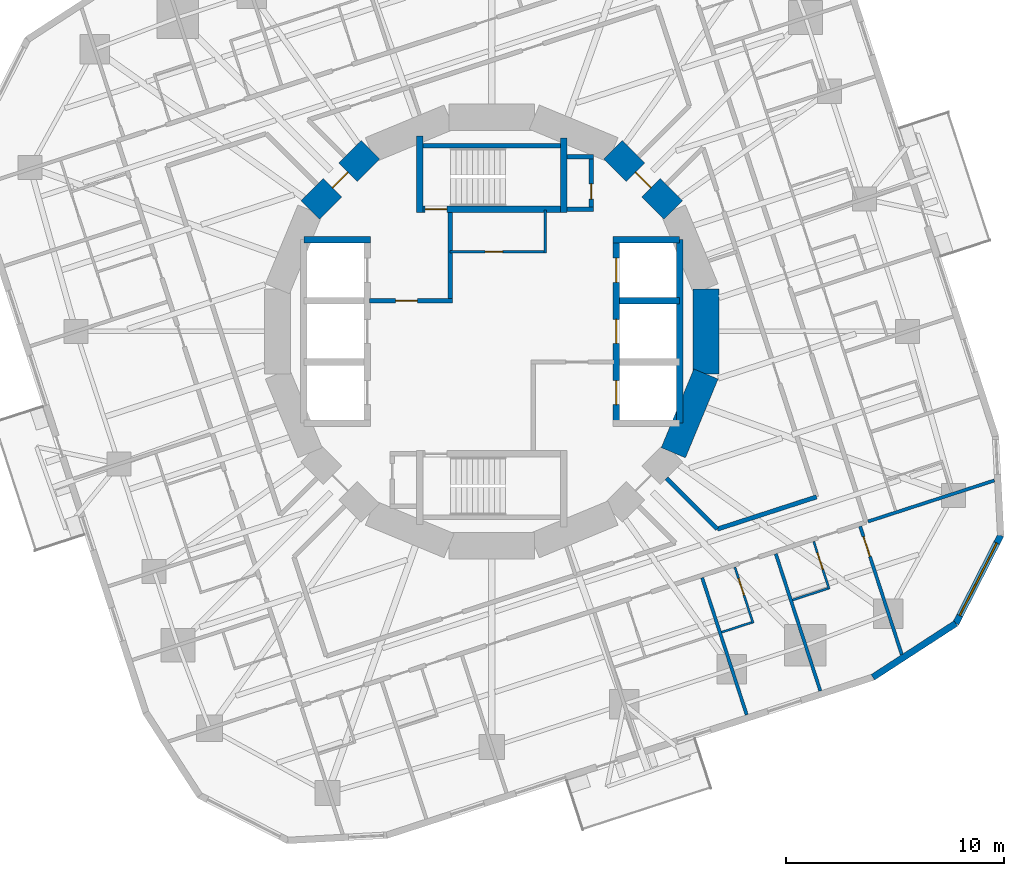
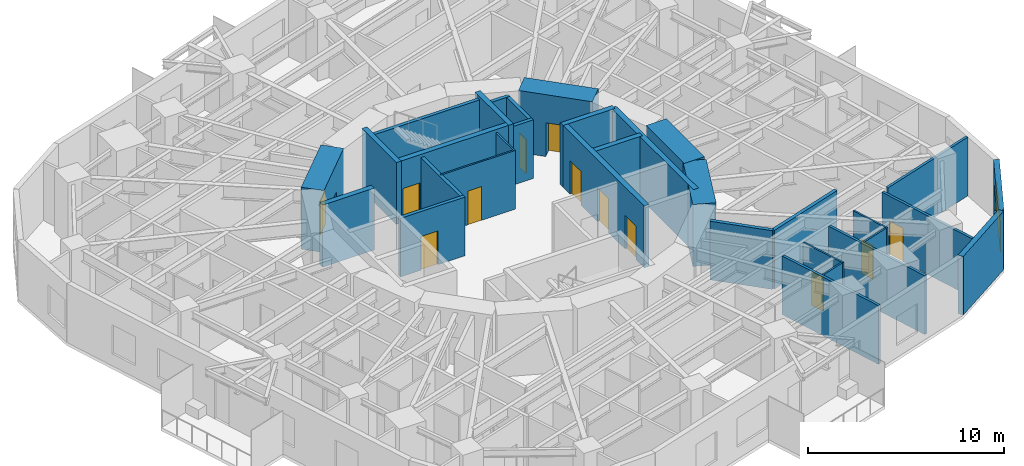
# One storey, part 7 of 12: 32 walls, 12 doors, 1 window, 13 openings.
"""IFC4 building model written with IfcOpenShell, lengths in metres."""

from ifc_helpers import new_model, si_unit, direction, frame, frame_2d, origin, place, context, subcontext, project, spatial, rectangle, extrude, material, layer, layer_set, type_object, element, fill, save


model = new_model("IFC4")

# Units and contexts
model_context = context("Model", 3, precision=1e-05, world=origin(), true_north=direction((0.0, 1.0)))
body_context = subcontext(model_context, "Body", "Model", "MODEL_VIEW")
ifc_project = project(units=[si_unit("LENGTHUNIT", "METRE"), si_unit("AREAUNIT", "SQUARE_METRE"), si_unit("VOLUMEUNIT", "CUBIC_METRE"), si_unit("PLANEANGLEUNIT", "RADIAN"), si_unit("MASSUNIT", "GRAM", prefix="KILO")], contexts=[model_context])

# Site, building, storey
site_placement = place(None, origin())
site = spatial("IfcSite", under=ifc_project, at=site_placement, CompositionType="ELEMENT")
building_placement = place(site_placement, origin())
building = spatial("IfcBuilding", under=site, at=building_placement, Name="Nakasero Lantern House", CompositionType="ELEMENT")
storey_placement = place(building_placement, frame((0.0, 0.0, 149.5)))
storey = spatial("IfcBuildingStorey", under=building, at=storey_placement, Name="L36", CompositionType="ELEMENT", Elevation=149.5)

# Wall, openings, doors
ifc_material_1 = material(Name="Concrete C50/60", Category="concrete")
ifc_layer_1 = layer(ifc_material_1, 0.300048828125)
ifc_layer_set_1 = layer_set([ifc_layer_1], Name="Core inner wall 300")
wall_type_1 = type_object("IfcWallType", Name="Core inner wall 300", PredefinedType="SHEAR", material=ifc_layer_set_1)
wall_1_placement = place(storey_placement, frame((5.699951171875, -4.199951171875, 0.0), z_axis=(0.0, 0.0, 1.0), x_axis=(0.0, 1.0, 0.0)))
wall_1 = element("IfcWall", 1, at=wall_1_placement, inside=storey, type_object=wall_type_1, Name="Core inner wall L36 LE", PredefinedType="SHEAR", context=body_context, shape_type="SweptSolid", body=[
    extrude(rectangle(XDim=8.39990234375, YDim=0.300048828125, at=frame_2d((4.199951171875, 0.0))), origin(), (0.0, 0.0, 1.0), 3.85009765625),
])
opening_1_placement = place(wall_1_placement, frame((0.85009765625, 0.0, 0.0)))
opening_1 = element("IfcOpeningElement", 2, at=opening_1_placement, cuts=wall_1, Name="Opening LD", PredefinedType="OPENING", context=body_context, shape_type="SweptSolid", body=[
    extrude(rectangle(XDim=1.10009765625, YDim=2.10009765625, at=frame_2d((0.550048828125, 1.050048828125))), frame((0.0, 0.169921875, 0.0), z_axis=(0.0, -1.0, 0.0), x_axis=(1.0, 0.0, 0.0)), (0.0, 0.0, 1.0), 0.340087890625),
])
opening_2_placement = place(wall_1_placement, frame((3.64990234375, 0.0, 0.0)))
opening_2 = element("IfcOpeningElement", 3, at=opening_2_placement, cuts=wall_1, Name="Opening LD", PredefinedType="OPENING", context=body_context, shape_type="SweptSolid", body=[
    extrude(rectangle(XDim=1.10009765625, YDim=2.10009765625, at=frame_2d((0.550048828125, 1.050048828125))), frame((0.0, 0.169921875, 0.0), z_axis=(0.0, -1.0, 0.0), x_axis=(1.0, 0.0, 0.0)), (0.0, 0.0, 1.0), 0.340087890625),
])
opening_3_placement = place(wall_1_placement, frame((6.449951171875, 0.0, 0.0)))
opening_3 = element("IfcOpeningElement", 4, at=opening_3_placement, cuts=wall_1, Name="Opening LD", PredefinedType="OPENING", context=body_context, shape_type="SweptSolid", body=[
    extrude(rectangle(XDim=1.10009765625, YDim=2.10009765625, at=frame_2d((0.550048828125, 1.050048828125))), frame((0.0, 0.169921875, 0.0), z_axis=(0.0, -1.0, 0.0), x_axis=(1.0, 0.0, 0.0)), (0.0, 0.0, 1.0), 0.340087890625),
])
ifc_material_2 = material(Name="Steel S355", Category="steel")
door_type_1 = type_object("IfcDoorType", Name="Lift landing door E120 1100", OperationType="SLIDING_TO_LEFT", PredefinedType="DOOR", material=ifc_material_2)
door_1_placement = place(opening_1_placement, origin())
door_1 = element("IfcDoor", 5, at=door_1_placement, inside=storey, type_object=door_type_1, Name="Lift landing door LE1", OperationType="SLIDING_TO_LEFT", OverallHeight=2.10009765625, OverallWidth=1.10009765625, PredefinedType="DOOR", context=body_context, shape_type="SweptSolid", body=[
    extrude(rectangle(XDim=1.10009765625, YDim=2.10009765625, at=frame_2d((0.550048828125, 1.050048828125))), frame((0.0, 0.02490234375, 0.0), z_axis=(0.0, -1.0, 0.0), x_axis=(1.0, 0.0, 0.0)), (0.0, 0.0, 1.0), 0.050048828125),
])
fill(opening_1, door_1)
door_2_placement = place(opening_2_placement, origin())
door_2 = element("IfcDoor", 6, at=door_2_placement, inside=storey, type_object=door_type_1, Name="Lift landing door LE2", OperationType="SLIDING_TO_LEFT", OverallHeight=2.10009765625, OverallWidth=1.10009765625, PredefinedType="DOOR", context=body_context, shape_type="SweptSolid", body=[
    extrude(rectangle(XDim=1.10009765625, YDim=2.10009765625, at=frame_2d((0.550048828125, 1.050048828125))), frame((0.0, 0.02490234375, 0.0), z_axis=(0.0, -1.0, 0.0), x_axis=(1.0, 0.0, 0.0)), (0.0, 0.0, 1.0), 0.050048828125),
])
fill(opening_2, door_2)
door_3_placement = place(opening_3_placement, origin())
door_3 = element("IfcDoor", 7, at=door_3_placement, inside=storey, type_object=door_type_1, Name="Lift landing door LE3", OperationType="SLIDING_TO_LEFT", OverallHeight=2.10009765625, OverallWidth=1.10009765625, PredefinedType="DOOR", context=body_context, shape_type="SweptSolid", body=[
    extrude(rectangle(XDim=1.10009765625, YDim=2.10009765625, at=frame_2d((0.550048828125, 1.050048828125))), frame((0.0, 0.02490234375, 0.0), z_axis=(0.0, -1.0, 0.0), x_axis=(1.0, 0.0, 0.0)), (0.0, 0.0, 1.0), 0.050048828125),
])
fill(opening_3, door_3)

# Walls
for number, where, z_axis, x_axis, name in (
    (8, (-8.60009765625, 4.199951171875, 0.0), (0.0, 0.0, 1.0), (1.0, 0.0, 0.0), "Core inner wall L36 LWN"),
    (9, (5.550048828125, 4.199951171875, 0.0), (0.0, 0.0, 1.0), (1.0, 0.0, 0.0), "Core inner wall L36 LEN"),
):
    element("IfcWall", number, at=place(storey_placement, frame(where, z_axis=z_axis, x_axis=x_axis)), inside=storey, type_object=wall_type_1, Name=name, PredefinedType="SHEAR", context=body_context, shape_type="SweptSolid", body=[
        extrude(rectangle(XDim=3.050048828125, YDim=0.300048828125, at=frame_2d((1.52490234375, 0.0))), origin(), (0.0, 0.0, 1.0), 3.85009765625),
    ])
wall_2_placement = place(storey_placement, frame((8.60009765625, -4.199951171875, 0.0), z_axis=(0.0, 0.0, 1.0), x_axis=(0.0, 1.0, 0.0)))
element("IfcWall", 10, at=wall_2_placement, inside=storey, type_object=wall_type_1, Name="Core inner wall L36 LEB", PredefinedType="SHEAR", context=body_context, shape_type="SweptSolid", body=[
    extrude(rectangle(XDim=8.39990234375, YDim=0.300048828125, at=frame_2d((4.199951171875, 0.0))), origin(), (0.0, 0.0, 1.0), 3.85009765625),
])
wall_3_placement = place(storey_placement, frame((5.85009765625, 1.39990234375, 0.0), z_axis=(0.0, 0.0, 1.0), x_axis=(1.0, 0.0, 0.0)))
element("IfcWall", 11, at=wall_3_placement, inside=storey, type_object=wall_type_1, Name="Core inner wall L36 LE2", PredefinedType="SHEAR", context=body_context, shape_type="SweptSolid", body=[
    extrude(rectangle(XDim=2.75, YDim=0.300048828125, at=frame_2d((1.375, 0.0))), origin(), (0.0, 0.0, 1.0), 3.85009765625),
])

# Wall, opening, door
wall_4_placement = place(storey_placement, frame((-3.449951171875, 5.60009765625, 0.0), z_axis=(0.0, 0.0, 1.0), x_axis=(1.0, 0.0, 0.0)))
wall_4 = element("IfcWall", 12, at=wall_4_placement, inside=storey, type_object=wall_type_1, Name="Core inner wall L36 SN", PredefinedType="SHEAR", context=body_context, shape_type="SweptSolid", body=[
    extrude(rectangle(XDim=6.89990234375, YDim=0.300048828125, at=frame_2d((3.449951171875, 0.0))), origin(), (0.0, 0.0, 1.0), 3.85009765625),
])
opening_4_placement = place(wall_4_placement, frame((0.39990234375, 0.0, 0.0)))
opening_4 = element("IfcOpeningElement", 13, at=opening_4_placement, cuts=wall_4, Name="Opening D05", PredefinedType="OPENING", context=body_context, shape_type="SweptSolid", body=[
    extrude(rectangle(XDim=1.0, YDim=2.10009765625, at=frame_2d((0.5, 1.050048828125))), frame((0.0, 0.169921875, 0.0), z_axis=(0.0, -1.0, 0.0), x_axis=(1.0, 0.0, 0.0)), (0.0, 0.0, 1.0), 0.340087890625),
])
ifc_material_3 = material(Name="Timber C24", Category="wood")
door_type_2 = type_object("IfcDoorType", Name="Core door FD60S 1000", OperationType="SINGLE_SWING_LEFT", PredefinedType="DOOR", material=ifc_material_3)
door_4_placement = place(opening_4_placement, origin())
door_4 = element("IfcDoor", 14, at=door_4_placement, inside=storey, type_object=door_type_2, Name="Door L36 D-ST1", OperationType="SINGLE_SWING_LEFT", OverallHeight=2.10009765625, OverallWidth=1.0, PredefinedType="DOOR", context=body_context, shape_type="SweptSolid", body=[
    extrude(rectangle(XDim=1.0, YDim=2.10009765625, at=frame_2d((0.5, 1.050048828125))), frame((0.0, 0.02490234375, 0.0), z_axis=(0.0, -1.0, 0.0), x_axis=(1.0, 0.0, 0.0)), (0.0, 0.0, 1.0), 0.050048828125),
])
fill(opening_4, door_4)

# Walls
wall_5_placement = place(storey_placement, frame((-3.300048828125, 5.449951171875, 0.0), z_axis=(0.0, 0.0, 1.0), x_axis=(0.0, 1.0, 0.0)))
element("IfcWall", 15, at=wall_5_placement, inside=storey, type_object=wall_type_1, Name="Core inner wall L36 SNW", PredefinedType="SHEAR", context=body_context, shape_type="SweptSolid", body=[
    extrude(rectangle(XDim=3.5, YDim=0.300048828125, at=frame_2d((1.75, 0.0))), origin(), (0.0, 0.0, 1.0), 3.85009765625),
])
wall_6_placement = place(storey_placement, frame((3.300048828125, 5.449951171875, 0.0), z_axis=(0.0, 0.0, 1.0), x_axis=(0.0, 1.0, 0.0)))
element("IfcWall", 16, at=wall_6_placement, inside=storey, type_object=wall_type_1, Name="Core inner wall L36 SNE", PredefinedType="SHEAR", context=body_context, shape_type="SweptSolid", body=[
    extrude(rectangle(XDim=3.400146484375, YDim=0.300048828125, at=frame_2d((1.7001953125, 0.0))), origin(), (0.0, 0.0, 1.0), 3.85009765625),
])

# Wall, opening, door
ifc_material_4 = material(Name="Blockwork", Category="masonry")
ifc_layer_2 = layer(ifc_material_4, 0.10009765625)
ifc_layer_set_2 = layer_set([ifc_layer_2], Name="Core room wall 100")
wall_type_2 = type_object("IfcWallType", Name="Core room wall 100", PredefinedType="PARTITIONING", material=ifc_layer_set_2)
wall_7_placement = place(storey_placement, frame((-1.89990234375, 3.64990234375, 0.0), z_axis=(0.0, 0.0, 1.0), x_axis=(1.0, 0.0, 0.0)))
wall_7 = element("IfcWall", 17, at=wall_7_placement, inside=storey, type_object=wall_type_2, Name="Core room wall L36 CR-NES", PredefinedType="PARTITIONING", context=body_context, shape_type="SweptSolid", body=[
    extrude(rectangle(XDim=4.39990234375, YDim=0.10009765625, at=frame_2d((2.199951171875, 0.0))), origin(), (0.0, 0.0, 1.0), 3.64990234375),
])
opening_5_placement = place(wall_7_placement, frame((1.60009765625, 0.0, 0.0)))
opening_5 = element("IfcOpeningElement", 18, at=opening_5_placement, cuts=wall_7, Name="Opening D15", PredefinedType="OPENING", context=body_context, shape_type="SweptSolid", body=[
    extrude(rectangle(XDim=0.800048828125, YDim=2.10009765625, at=frame_2d((0.39990234375, 1.050048828125))), frame((0.0, 0.070068359375, 0.0), z_axis=(0.0, -1.0, 0.0), x_axis=(1.0, 0.0, 0.0)), (0.0, 0.0, 1.0), 0.14013671875),
])
ifc_material_5 = material(Name="Timber C24", Category="wood")
door_type_3 = type_object("IfcDoorType", Name="Cleaner's store door FD30S 800", OperationType="SINGLE_SWING_LEFT", PredefinedType="DOOR", material=ifc_material_5)
door_5_placement = place(opening_5_placement, origin())
door_5 = element("IfcDoor", 19, at=door_5_placement, inside=storey, type_object=door_type_3, Name="Door L36 D-CR-NE", OperationType="SINGLE_SWING_LEFT", OverallHeight=2.10009765625, OverallWidth=0.800048828125, PredefinedType="DOOR", context=body_context, shape_type="SweptSolid", body=[
    extrude(rectangle(XDim=0.800048828125, YDim=2.10009765625, at=frame_2d((0.39990234375, 1.050048828125))), frame((0.0, 0.02490234375, 0.0), z_axis=(0.0, -1.0, 0.0), x_axis=(1.0, 0.0, 0.0)), (0.0, 0.0, 1.0), 0.050048828125),
])
fill(opening_5, door_5)

# Wall
wall_8_placement = place(storey_placement, frame((2.449951171875, 3.60009765625, 0.0), z_axis=(0.0, 0.0, 1.0), x_axis=(0.0, 1.0, 0.0)))
element("IfcWall", 20, at=wall_8_placement, inside=storey, type_object=wall_type_2, Name="Core room wall L36 CR-NEE", PredefinedType="PARTITIONING", context=body_context, shape_type="SweptSolid", body=[
    extrude(rectangle(XDim=1.949951171875, YDim=0.10009765625, at=frame_2d((0.97509765625, 0.0))), origin(), (0.0, 0.0, 1.0), 3.64990234375),
])

# Wall, opening, door
ifc_material_6 = material(Name="Concrete C50/60", Category="concrete")
ifc_layer_3 = layer(ifc_material_6, 1.199951171875)
ifc_layer_set_3 = layer_set([ifc_layer_3], Name="Core wall 1200")
wall_type_3 = type_object("IfcWallType", Name="Core wall 1200", PredefinedType="SHEAR", material=ifc_layer_set_3)
wall_9_placement = place(storey_placement, frame((8.314697265625, 5.5556640625, 0.0), z_axis=(0.0, 0.0, 1.0), x_axis=(-0.707106781187, 0.707106781187, 0.0)))
wall_9 = element("IfcWall", 21, at=wall_9_placement, inside=storey, type_object=wall_type_3, Name="Core wall L36 facet 2", PredefinedType="SHEAR", context=body_context, shape_type="SweptSolid", body=[
    extrude(rectangle(XDim=3.90185546875, YDim=1.199951171875, at=frame_2d((1.950927734375, 0.0))), origin(), (0.0, 0.0, 1.0), 3.85009765625),
])
opening_6_placement = place(wall_9_placement, frame((1.450927734375, 0.0, 0.0)))
opening_6 = element("IfcOpeningElement", 22, at=opening_6_placement, cuts=wall_9, Name="Opening D05", PredefinedType="OPENING", context=body_context, shape_type="SweptSolid", body=[
    extrude(rectangle(XDim=1.0, YDim=2.10009765625, at=frame_2d((0.5, 1.050048828125))), frame((0.0, 0.619873046875, 0.0), z_axis=(0.0, -1.0, 0.0), x_axis=(1.0, 0.0, 0.0)), (0.0, 0.0, 1.0), 1.239990234375),
])
door_6_placement = place(opening_6_placement, origin())
door_6 = element("IfcDoor", 23, at=door_6_placement, inside=storey, type_object=door_type_2, Name="Door L36 D-CORE02", OperationType="SINGLE_SWING_LEFT", OverallHeight=2.10009765625, OverallWidth=1.0, PredefinedType="DOOR", context=body_context, shape_type="SweptSolid", body=[
    extrude(rectangle(XDim=1.0, YDim=2.10009765625, at=frame_2d((0.5, 1.050048828125))), frame((0.0, 0.02490234375, 0.0), z_axis=(0.0, -1.0, 0.0), x_axis=(1.0, 0.0, 0.0)), (0.0, 0.0, 1.0), 0.050048828125),
])
fill(opening_6, door_6)

wall_10_placement = place(storey_placement, frame((-5.5556640625, 8.314697265625, 0.0), z_axis=(0.0, 0.0, 1.0), x_axis=(-0.707106781187, -0.707106781187, 0.0)))
wall_10 = element("IfcWall", 24, at=wall_10_placement, inside=storey, type_object=wall_type_3, Name="Core wall L36 facet 6", PredefinedType="SHEAR", context=body_context, shape_type="SweptSolid", body=[
    extrude(rectangle(XDim=3.90185546875, YDim=1.199951171875, at=frame_2d((1.950927734375, 0.0))), origin(), (0.0, 0.0, 1.0), 3.85009765625),
])
opening_7_placement = place(wall_10_placement, frame((1.450927734375, 0.0, 0.0)))
opening_7 = element("IfcOpeningElement", 25, at=opening_7_placement, cuts=wall_10, Name="Opening D05", PredefinedType="OPENING", context=body_context, shape_type="SweptSolid", body=[
    extrude(rectangle(XDim=1.0, YDim=2.10009765625, at=frame_2d((0.5, 1.050048828125))), frame((0.0, 0.619873046875, 0.0), z_axis=(0.0, -1.0, 0.0), x_axis=(1.0, 0.0, 0.0)), (0.0, 0.0, 1.0), 1.239990234375),
])
door_7_placement = place(opening_7_placement, origin())
door_7 = element("IfcDoor", 26, at=door_7_placement, inside=storey, type_object=door_type_2, Name="Door L36 D-CORE06", OperationType="SINGLE_SWING_LEFT", OverallHeight=2.10009765625, OverallWidth=1.0, PredefinedType="DOOR", context=body_context, shape_type="SweptSolid", body=[
    extrude(rectangle(XDim=1.0, YDim=2.10009765625, at=frame_2d((0.5, 1.050048828125))), frame((0.0, 0.02490234375, 0.0), z_axis=(0.0, -1.0, 0.0), x_axis=(1.0, 0.0, 0.0)), (0.0, 0.0, 1.0), 0.050048828125),
])
fill(opening_7, door_7)

# Walls
for number, where, z_axis, x_axis, name in (
    (27, (8.314697265625, -5.5556640625, 0.0), (0.0, 0.0, 1.0), (0.382690736062, 0.923876507187, 0.0), "Core wall L36 facet 15"),
    (28, (9.807861328125, -1.950927734375, 0.0), (0.0, 0.0, 1.0), (0.0, 1.0, 0.0), "Core wall L36 facet 16"),
):
    element("IfcWall", number, at=place(storey_placement, frame(where, z_axis=z_axis, x_axis=x_axis)), inside=storey, type_object=wall_type_3, Name=name, PredefinedType="SHEAR", context=body_context, shape_type="SweptSolid", body=[
        extrude(rectangle(XDim=3.90185546875, YDim=1.199951171875, at=frame_2d((1.950927734375, 0.0))), origin(), (0.0, 0.0, 1.0), 3.85009765625),
    ])
ifc_material_7 = material(Name="Blockwork", Category="masonry")
ifc_layer_4 = layer(ifc_material_7, 0.199951171875)
ifc_layer_set_4 = layer_set([ifc_layer_4], Name="Corridor wall 200")
wall_type_4 = type_object("IfcWallType", Name="Corridor wall 200", PredefinedType="PARTITIONING", material=ifc_layer_set_4)
wall_11_placement = place(storey_placement, frame((10.3251953125, -9.052490234375, 0.0), z_axis=(0.0, 0.0, 1.0), x_axis=(0.951057724773, 0.309013275037, 0.0)))
element("IfcWall", 29, at=wall_11_placement, inside=storey, type_object=wall_type_4, Name="Corridor wall L36 IW3-1", PredefinedType="PARTITIONING", context=body_context, shape_type="SweptSolid", body=[
    extrude(rectangle(XDim=4.777587890625, YDim=0.199951171875, at=frame_2d((2.388671875, 0.0))), origin(), (0.0, 0.0, 1.0), 3.64990234375),
])
wall_12_placement = place(storey_placement, frame((7.995849609375, -6.72314453125, 0.0), z_axis=(0.0, 0.0, 1.0), x_axis=(0.707106781187, -0.707106781187, 0.0)))
element("IfcWall", 30, at=wall_12_placement, inside=storey, type_object=wall_type_4, Name="Corridor wall L36 PS14a", PredefinedType="PARTITIONING", context=body_context, shape_type="SweptSolid", body=[
    extrude(rectangle(XDim=3.294189453125, YDim=0.199951171875, at=frame_2d((1.64697265625, 0.0))), origin(), (0.0, 0.0, 1.0), 3.64990234375),
])

# Wall, opening, door
ifc_material_8 = material(Name="Blockwork", Category="masonry")
ifc_layer_5 = layer(ifc_material_8, 0.10009765625)
ifc_layer_set_5 = layer_set([ifc_layer_5], Name="En-suite wall 100")
wall_type_5 = type_object("IfcWallType", Name="En-suite wall 100", PredefinedType="PARTITIONING", material=ifc_layer_set_5)
wall_13_placement = place(storey_placement, frame((11.131591796875, -10.7880859375, 0.0), z_axis=(0.0, 0.0, 1.0), x_axis=(0.309057448393, -0.951043371037, 0.0)))
wall_13 = element("IfcWall", 31, at=wall_13_placement, inside=storey, type_object=wall_type_5, Name="En-suite wall L36 ES3-05", PredefinedType="PARTITIONING", context=body_context, shape_type="SweptSolid", body=[
    extrude(rectangle(XDim=2.699951171875, YDim=0.10009765625, at=frame_2d((1.35009765625, 0.0))), origin(), (0.0, 0.0, 1.0), 3.64990234375),
])
opening_8_placement = place(wall_13_placement, frame((0.550048828125, 0.0, 0.0)))
opening_8 = element("IfcOpeningElement", 32, at=opening_8_placement, cuts=wall_13, Name="Opening D02", PredefinedType="OPENING", context=body_context, shape_type="SweptSolid", body=[
    extrude(rectangle(XDim=0.800048828125, YDim=2.10009765625, at=frame_2d((0.39990234375, 1.050048828125))), frame((0.0, 0.070068359375, 0.0), z_axis=(0.0, -1.0, 0.0), x_axis=(1.0, 0.0, 0.0)), (0.0, 0.0, 1.0), 0.14013671875),
])
ifc_material_9 = material(Name="Timber C24", Category="wood")
door_type_4 = type_object("IfcDoorType", Name="En-suite door 800", OperationType="SINGLE_SWING_RIGHT", PredefinedType="DOOR", material=ifc_material_9)
door_8_placement = place(opening_8_placement, origin())
door_8 = element("IfcDoor", 33, at=door_8_placement, inside=storey, type_object=door_type_4, Name="Door L36 DE3-05", OperationType="SINGLE_SWING_LEFT", OverallHeight=2.10009765625, OverallWidth=0.800048828125, PredefinedType="DOOR", context=body_context, shape_type="SweptSolid", body=[
    extrude(rectangle(XDim=0.800048828125, YDim=2.10009765625, at=frame_2d((0.39990234375, 1.050048828125))), frame((0.0, 0.02490234375, 0.0), z_axis=(0.0, -1.0, 0.0), x_axis=(1.0, 0.0, 0.0)), (0.0, 0.0, 1.0), 0.050048828125),
])
fill(opening_8, door_8)

# Wall
wall_14_placement = place(storey_placement, frame((10.52392578125, -13.77197265625, 0.0), z_axis=(0.0, 0.0, 1.0), x_axis=(0.951079836914, 0.308945211672, 0.0)))
element("IfcWall", 34, at=wall_14_placement, inside=storey, type_object=wall_type_5, Name="En-suite wall L36 EE3-05", PredefinedType="PARTITIONING", context=body_context, shape_type="SweptSolid", body=[
    extrude(rectangle(XDim=1.4501953125, YDim=0.10009765625, at=frame_2d((0.72509765625, 0.0))), origin(), (0.0, 0.0, 1.0), 3.64990234375),
])

# Wall, opening, door
wall_15_placement = place(storey_placement, frame((14.740234375, -9.61572265625, 0.0), z_axis=(0.0, 0.0, 1.0), x_axis=(0.309021261611, -0.951055129775, 0.0)))
wall_15 = element("IfcWall", 35, at=wall_15_placement, inside=storey, type_object=wall_type_5, Name="En-suite wall L36 ES3-06", PredefinedType="PARTITIONING", context=body_context, shape_type="SweptSolid", body=[
    extrude(rectangle(XDim=2.2998046875, YDim=0.10009765625, at=frame_2d((1.14990234375, 0.0))), origin(), (0.0, 0.0, 1.0), 3.64990234375),
])
opening_9_placement = place(wall_15_placement, frame((0.550048828125, 0.0, 0.0)))
opening_9 = element("IfcOpeningElement", 36, at=opening_9_placement, cuts=wall_15, Name="Opening D02", PredefinedType="OPENING", context=body_context, shape_type="SweptSolid", body=[
    extrude(rectangle(XDim=0.800048828125, YDim=2.10009765625, at=frame_2d((0.39990234375, 1.050048828125))), frame((0.0, 0.070068359375, 0.0), z_axis=(0.0, -1.0, 0.0), x_axis=(1.0, 0.0, 0.0)), (0.0, 0.0, 1.0), 0.14013671875),
])
door_9_placement = place(opening_9_placement, origin())
door_9 = element("IfcDoor", 37, at=door_9_placement, inside=storey, type_object=door_type_4, Name="Door L36 DE3-06", OperationType="SINGLE_SWING_LEFT", OverallHeight=2.10009765625, OverallWidth=0.800048828125, PredefinedType="DOOR", context=body_context, shape_type="SweptSolid", body=[
    extrude(rectangle(XDim=0.800048828125, YDim=2.10009765625, at=frame_2d((0.39990234375, 1.050048828125))), frame((0.0, 0.02490234375, 0.0), z_axis=(0.0, -1.0, 0.0), x_axis=(1.0, 0.0, 0.0)), (0.0, 0.0, 1.0), 0.050048828125),
])
fill(opening_9, door_9)

# Walls
wall_16_placement = place(storey_placement, frame((13.771240234375, -12.29638671875, 0.0), z_axis=(0.0, 0.0, 1.0), x_axis=(0.951040401051, 0.309066587596, 0.0)))
element("IfcWall", 38, at=wall_16_placement, inside=storey, type_object=wall_type_5, Name="En-suite wall L36 EE3-06", PredefinedType="PARTITIONING", context=body_context, shape_type="SweptSolid", body=[
    extrude(rectangle(XDim=1.699951171875, YDim=0.10009765625, at=frame_2d((0.85009765625, 0.0))), origin(), (0.0, 0.0, 1.0), 3.64990234375),
])
ifc_material_10 = material(Name="Aluminium rainscreen on blockwork", Category="masonry")
ifc_layer_6 = layer(ifc_material_10, 0.300048828125)
ifc_layer_set_6 = layer_set([ifc_layer_6], Name="Facade wall 300")
wall_type_6 = type_object("IfcWallType", Name="Facade wall 300", PredefinedType="SOLIDWALL", material=ifc_layer_set_6)
wall_17_placement = place(storey_placement, frame((17.44677734375, -15.83349609375, 0.0), z_axis=(0.0, 0.0, 1.0), x_axis=(0.838673836229, 0.544634002266, 0.0)))
element("IfcWall", 39, at=wall_17_placement, inside=storey, type_object=wall_type_6, Name="Facade wall L36 FW3C1", PredefinedType="SOLIDWALL", context=body_context, shape_type="SweptSolid", body=[
    extrude(rectangle(XDim=4.529296875, YDim=0.300048828125, at=frame_2d((2.2646484375, 0.0))), origin(), (0.0, 0.0, 1.0), 3.64990234375),
])

# Wall, opening, window
wall_18_placement = place(storey_placement, frame((21.245361328125, -13.36669921875, 0.0), z_axis=(0.0, 0.0, 1.0), x_axis=(0.454013792196, 0.890994655705, 0.0)))
wall_18 = element("IfcWall", 40, at=wall_18_placement, inside=storey, type_object=wall_type_6, Name="Facade wall L36 FW3C2", PredefinedType="SOLIDWALL", context=body_context, shape_type="SweptSolid", body=[
    extrude(rectangle(XDim=4.529296875, YDim=0.300048828125, at=frame_2d((2.2646484375, 0.0))), origin(), (0.0, 0.0, 1.0), 3.64990234375),
])
opening_10_placement = place(wall_18_placement, frame((0.39990234375, 0.0, 0.75)))
opening_10 = element("IfcOpeningElement", 41, at=opening_10_placement, cuts=wall_18, Name="Opening W237A", PredefinedType="OPENING", context=body_context, shape_type="SweptSolid", body=[
    extrude(rectangle(XDim=3.72900390625, YDim=1.800048828125, at=frame_2d((1.864501953125, 0.89990234375))), frame((0.0, 0.169921875, 0.0), z_axis=(0.0, -1.0, 0.0), x_axis=(1.0, 0.0, 0.0)), (0.0, 0.0, 1.0), 0.340087890625),
])
ifc_material_11 = material(Name="Aluminium 6063-T6 and glass", Category="aluminium")
window_type = type_object("IfcWindowType", Name="Corner window 3729x1800", PartitioningType="SINGLE_PANEL", PredefinedType="WINDOW", material=ifc_material_11)
window_placement = place(opening_10_placement, origin())
window = element("IfcWindow", 42, at=window_placement, inside=storey, type_object=window_type, Name="Window L36 WC3", OverallHeight=1.800048828125, OverallWidth=3.72900390625, PartitioningType="SINGLE_PANEL", PredefinedType="WINDOW", context=body_context, shape_type="SweptSolid", body=[
    extrude(rectangle(XDim=3.72900390625, YDim=1.800048828125, at=frame_2d((1.864501953125, 0.89990234375))), frame((0.0, 0.030029296875, 0.0), z_axis=(0.0, -1.0, 0.0), x_axis=(1.0, 0.0, 0.0)), (0.0, 0.0, 1.0), 0.06005859375),
])
fill(opening_10, window)

# Wall, opening, door
ifc_material_12 = material(Name="Blockwork", Category="masonry")
ifc_layer_7 = layer(ifc_material_12, 0.199951171875)
ifc_layer_set_7 = layer_set([ifc_layer_7], Name="Fire lobby wall 200")
wall_type_7 = type_object("IfcWallType", Name="Fire lobby wall 200", PredefinedType="PARTITIONING", material=ifc_layer_set_7)
wall_19_placement = place(storey_placement, frame((-5.60009765625, 1.39990234375, 0.0), z_axis=(0.0, 0.0, 1.0), x_axis=(1.0, 0.0, 0.0)))
wall_19 = element("IfcWall", 43, at=wall_19_placement, inside=storey, type_object=wall_type_7, Name="Fire lobby wall L36 W-FL1S", PredefinedType="PARTITIONING", context=body_context, shape_type="SweptSolid", body=[
    extrude(rectangle(XDim=3.800048828125, YDim=0.199951171875, at=frame_2d((1.89990234375, 0.0))), origin(), (0.0, 0.0, 1.0), 3.64990234375),
])
opening_11_placement = place(wall_19_placement, frame((1.199951171875, 0.0, 0.0)))
opening_11 = element("IfcOpeningElement", 44, at=opening_11_placement, cuts=wall_19, Name="Opening D05", PredefinedType="OPENING", context=body_context, shape_type="SweptSolid", body=[
    extrude(rectangle(XDim=1.0, YDim=2.10009765625, at=frame_2d((0.5, 1.050048828125))), frame((0.0, 0.119873046875, 0.0), z_axis=(0.0, -1.0, 0.0), x_axis=(1.0, 0.0, 0.0)), (0.0, 0.0, 1.0), 0.239990234375),
])
door_10_placement = place(opening_11_placement, origin())
door_10 = element("IfcDoor", 45, at=door_10_placement, inside=storey, type_object=door_type_2, Name="Door L36 D-FL1", OperationType="SINGLE_SWING_LEFT", OverallHeight=2.10009765625, OverallWidth=1.0, PredefinedType="DOOR", context=body_context, shape_type="SweptSolid", body=[
    extrude(rectangle(XDim=1.0, YDim=2.10009765625, at=frame_2d((0.5, 1.050048828125))), frame((0.0, 0.02490234375, 0.0), z_axis=(0.0, -1.0, 0.0), x_axis=(1.0, 0.0, 0.0)), (0.0, 0.0, 1.0), 0.050048828125),
])
fill(opening_11, door_10)

# Wall
wall_20_placement = place(storey_placement, frame((-1.89990234375, 1.5, 0.0), z_axis=(0.0, 0.0, 1.0), x_axis=(0.0, 1.0, 0.0)))
element("IfcWall", 46, at=wall_20_placement, inside=storey, type_object=wall_type_7, Name="Fire lobby wall L36 W-FL1E", PredefinedType="PARTITIONING", context=body_context, shape_type="SweptSolid", body=[
    extrude(rectangle(XDim=3.949951171875, YDim=0.199951171875, at=frame_2d((1.97509765625, 0.0))), origin(), (0.0, 0.0, 1.0), 3.64990234375),
])

# Wall, opening, door
wall_21_placement = place(storey_placement, frame((4.550048828125, 5.60009765625, 0.0), z_axis=(0.0, 0.0, 1.0), x_axis=(0.0, 1.0, 0.0)))
wall_21 = element("IfcWall", 47, at=wall_21_placement, inside=storey, type_object=wall_type_7, Name="Fire lobby wall L36 W-RS1E", PredefinedType="PARTITIONING", context=body_context, shape_type="SweptSolid", body=[
    extrude(rectangle(XDim=2.39990234375, YDim=0.199951171875, at=frame_2d((1.199951171875, 0.0))), origin(), (0.0, 0.0, 1.0), 3.64990234375),
])
opening_12_placement = place(wall_21_placement, frame((0.449951171875, 0.0, 0.0)))
opening_12 = element("IfcOpeningElement", 48, at=opening_12_placement, cuts=wall_21, Name="Opening D06", PredefinedType="OPENING", context=body_context, shape_type="SweptSolid", body=[
    extrude(rectangle(XDim=0.699951171875, YDim=2.10009765625, at=frame_2d((0.35009765625, 1.050048828125))), frame((0.0, 0.119873046875, 0.0), z_axis=(0.0, -1.0, 0.0), x_axis=(1.0, 0.0, 0.0)), (0.0, 0.0, 1.0), 0.239990234375),
])
ifc_material_13 = material(Name="Steel S355", Category="steel")
door_type_5 = type_object("IfcDoorType", Name="Riser door FD60 700", OperationType="SINGLE_SWING_LEFT", PredefinedType="DOOR", material=ifc_material_13)
door_11_placement = place(opening_12_placement, origin())
door_11 = element("IfcDoor", 49, at=door_11_placement, inside=storey, type_object=door_type_5, Name="Door L36 D-RS1", OperationType="SINGLE_SWING_LEFT", OverallHeight=2.10009765625, OverallWidth=0.699951171875, PredefinedType="DOOR", context=body_context, shape_type="SweptSolid", body=[
    extrude(rectangle(XDim=0.699951171875, YDim=2.10009765625, at=frame_2d((0.35009765625, 1.050048828125))), frame((0.0, 0.02490234375, 0.0), z_axis=(0.0, -1.0, 0.0), x_axis=(1.0, 0.0, 0.0)), (0.0, 0.0, 1.0), 0.050048828125),
])
fill(opening_12, door_11)

# Walls
for number, where, z_axis, x_axis, name in (
    (50, (3.449951171875, 8.0, 0.0), (0.0, 0.0, 1.0), (1.0, 0.0, 0.0), "Fire lobby wall L36 W-RS1N"),
    (51, (3.449951171875, 5.60009765625, 0.0), (0.0, 0.0, 1.0), (1.0, 0.0, 0.0), "Fire lobby wall L36 W-RS1S"),
):
    element("IfcWall", number, at=place(storey_placement, frame(where, z_axis=z_axis, x_axis=x_axis)), inside=storey, type_object=wall_type_7, Name=name, PredefinedType="PARTITIONING", context=body_context, shape_type="SweptSolid", body=[
        extrude(rectangle(XDim=1.199951171875, YDim=0.199951171875, at=frame_2d((0.60009765625, 0.0))), origin(), (0.0, 0.0, 1.0), 3.64990234375),
    ])
wall_22_placement = place(storey_placement, frame((-3.300048828125, 8.5, 0.0), z_axis=(0.0, 0.0, 1.0), x_axis=(1.0, 0.0, 0.0)))
element("IfcWall", 52, at=wall_22_placement, inside=storey, type_object=wall_type_7, Name="Fire lobby wall L36 W-STN", PredefinedType="PARTITIONING", context=body_context, shape_type="SweptSolid", body=[
    extrude(rectangle(XDim=6.60009765625, YDim=0.199951171875, at=frame_2d((3.300048828125, 0.0))), origin(), (0.0, 0.0, 1.0), 3.64990234375),
])
ifc_material_14 = material(Name="Blockwork", Category="masonry")
ifc_layer_8 = layer(ifc_material_14, 0.14990234375)
ifc_layer_set_8 = layer_set([ifc_layer_8], Name="Party wall 150")
wall_type_8 = type_object("IfcWallType", Name="Party wall 150", PredefinedType="PARTITIONING", material=ifc_layer_set_8)
wall_23_placement = place(storey_placement, frame((17.232177734375, -8.700927734375, 0.0), z_axis=(0.0, 0.0, 1.0), x_axis=(0.951057081836, 0.309015253813, 0.0)))
element("IfcWall", 53, at=wall_23_placement, inside=storey, type_object=wall_type_8, Name="Party wall L36 PW0-00", PredefinedType="PARTITIONING", context=body_context, shape_type="SweptSolid", body=[
    extrude(rectangle(XDim=6.080322265625, YDim=0.14990234375, at=frame_2d((3.0400390625, 0.0))), origin(), (0.0, 0.0, 1.0), 3.64990234375),
])
for number, where, z_axis, x_axis, name in (
    (54, (9.6337890625, -11.27490234375, 0.0), (0.0, 0.0, 1.0), (0.309027520945, -0.951053095941, 0.0), "Party wall L36 PW3-05"),
    (55, (13.004638671875, -10.1796875, 0.0), (0.0, 0.0, 1.0), (0.309027520945, -0.951053095941, 0.0), "Party wall L36 PW3-06"),
):
    element("IfcWall", number, at=place(storey_placement, frame(where, z_axis=z_axis, x_axis=x_axis)), inside=storey, type_object=wall_type_8, Name=name, PredefinedType="PARTITIONING", context=body_context, shape_type="SweptSolid", body=[
        extrude(rectangle(XDim=6.599853515625, YDim=0.14990234375, at=frame_2d((3.2998046875, 0.0))), origin(), (0.0, 0.0, 1.0), 3.64990234375),
    ])

# Wall, opening, door
wall_24_placement = place(storey_placement, frame((16.8662109375, -8.9248046875, 0.0), z_axis=(0.0, 0.0, 1.0), x_axis=(0.309031452366, -0.951051818488, 0.0)))
wall_24 = element("IfcWall", 56, at=wall_24_placement, inside=storey, type_object=wall_type_8, Name="Party wall L36 PC3", PredefinedType="PARTITIONING", context=body_context, shape_type="SweptSolid", body=[
    extrude(rectangle(XDim=6.165283203125, YDim=0.14990234375, at=frame_2d((3.08251953125, 0.0))), origin(), (0.0, 0.0, 1.0), 3.64990234375),
])
opening_13_placement = place(wall_24_placement, frame((0.5, 0.0, 0.0)))
opening_13 = element("IfcOpeningElement", 57, at=opening_13_placement, cuts=wall_24, Name="Opening D01", PredefinedType="OPENING", context=body_context, shape_type="SweptSolid", body=[
    extrude(rectangle(XDim=0.949951171875, YDim=2.10009765625, at=frame_2d((0.47509765625, 1.050048828125))), frame((0.0, 0.094970703125, 0.0), z_axis=(0.0, -1.0, 0.0), x_axis=(1.0, 0.0, 0.0)), (0.0, 0.0, 1.0), 0.18994140625),
])
ifc_material_15 = material(Name="Timber C24", Category="wood")
door_type_6 = type_object("IfcDoorType", Name="Bedroom door FD30S 950", OperationType="SINGLE_SWING_LEFT", PredefinedType="DOOR", material=ifc_material_15)
door_12_placement = place(opening_13_placement, origin())
door_12 = element("IfcDoor", 58, at=door_12_placement, inside=storey, type_object=door_type_6, Name="Door L36 DC3", OperationType="SINGLE_SWING_LEFT", OverallHeight=2.10009765625, OverallWidth=0.949951171875, PredefinedType="DOOR", context=body_context, shape_type="SweptSolid", body=[
    extrude(rectangle(XDim=0.949951171875, YDim=2.10009765625, at=frame_2d((0.47509765625, 1.050048828125))), frame((0.0, 0.02490234375, 0.0), z_axis=(0.0, -1.0, 0.0), x_axis=(1.0, 0.0, 0.0)), (0.0, 0.0, 1.0), 0.050048828125),
])
fill(opening_13, door_12)

save(model, "model.ifc")
